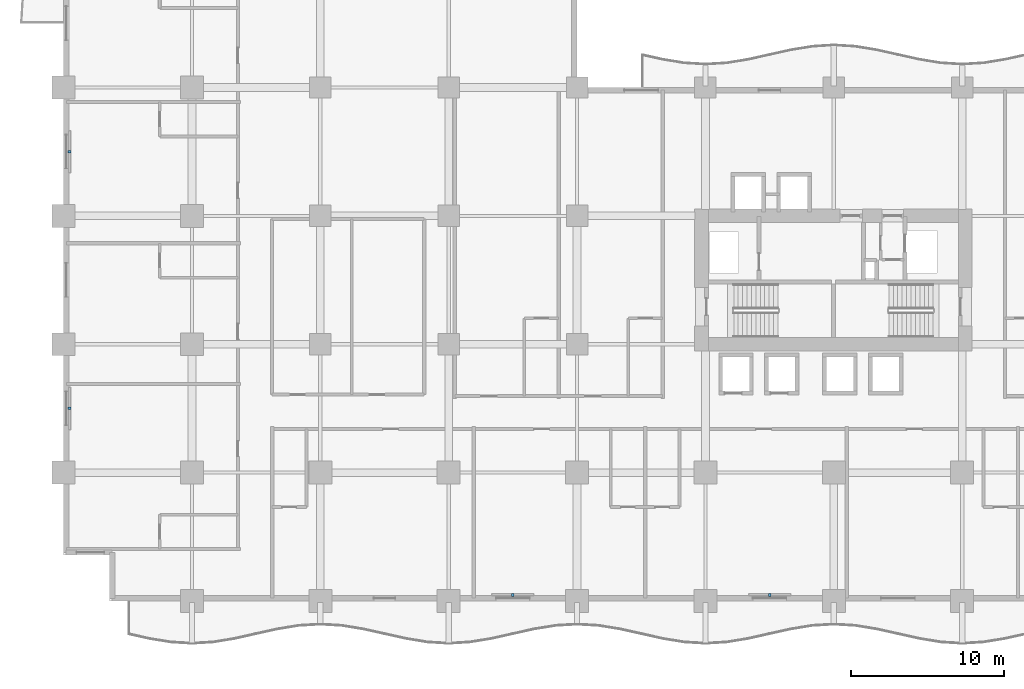
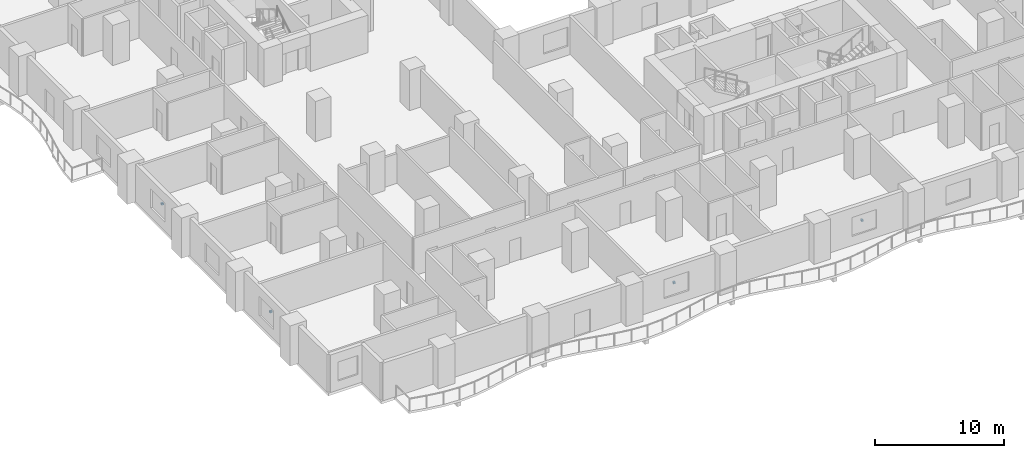
# One storey, part 18 of 24: 4 discrete accessories.
"""IFC4 building model written with IfcOpenShell, lengths in metres."""

from ifc_helpers import new_model, si_unit, direction, frame, origin, origin_2d, place, context, subcontext, project, spatial, rectangle, extrude, material, type_object, element, save


model = new_model("IFC4")

# Units and contexts
model_context = context("Model", 3, precision=1e-05, world=origin(), true_north=direction((0.0, 1.0)))
body_context = subcontext(model_context, "Body", "Model", "MODEL_VIEW")
ifc_project = project(units=[si_unit("LENGTHUNIT", "METRE"), si_unit("AREAUNIT", "SQUARE_METRE"), si_unit("VOLUMEUNIT", "CUBIC_METRE"), si_unit("PLANEANGLEUNIT", "RADIAN"), si_unit("MASSUNIT", "GRAM", prefix="KILO")], contexts=[model_context])

# Site, building, storey
site_placement = place(None, origin())
site = spatial("IfcSite", under=ifc_project, at=site_placement, CompositionType="ELEMENT")
building_placement = place(site_placement, origin())
building = spatial("IfcBuilding", under=site, at=building_placement, Name="Koriwani Terraces Tower", CompositionType="ELEMENT")
storey_placement = place(building_placement, frame((0.0, 0.0, 47.199951171875)))
storey = spatial("IfcBuildingStorey", under=building, at=storey_placement, Name="L10", CompositionType="ELEMENT", Elevation=47.199951171875)

# Discrete accessories
ifc_material = material(Name="Steel ASTM A572 Grade 50", Category="steel")
discrete_accessory_type = type_object("IfcDiscreteAccessoryType", Name="BAGUETTE_STANDOFF_BRACKET", PredefinedType="BRACKET", material=ifc_material)
for number, where, z_axis, x_axis, name in (
    (1, (0.389892578125, 12.60009765625, 1.68505859375), (0.0, 0.0, 1.0), (0.0, 1.0, 0.0), "L10 Terracotta Baguette Bracket (W-3)"),
    (2, (0.389892578125, 29.39990234375, 1.68505859375), (0.0, 0.0, 1.0), (0.0, 1.0, 0.0), "L10 Terracotta Baguette Bracket (W-9)"),
    (3, (29.39990234375, 0.389892578125, 1.68505859375), (0.0, 0.0, 1.0), (-1.0, 0.0, 0.0), "L10 Terracotta Baguette Bracket (S-9)"),
    (4, (46.199951171875, 0.389892578125, 1.68505859375), (0.0, 0.0, 1.0), (-1.0, 0.0, 0.0), "L10 Terracotta Baguette Bracket (S-15)"),
):
    element("IfcDiscreteAccessory", number, at=place(storey_placement, frame(where, z_axis=z_axis, x_axis=x_axis)), inside=storey, type_object=discrete_accessory_type, Name=name, PredefinedType="BRACKET", context=body_context, shape_type="SweptSolid", body=[
        extrude(rectangle(XDim=0.159912109375, YDim=0.199951171875, at=origin_2d()), origin(), (0.0, 0.0, 1.0), 0.179931640625),
    ])

save(model, "model.ifc")
